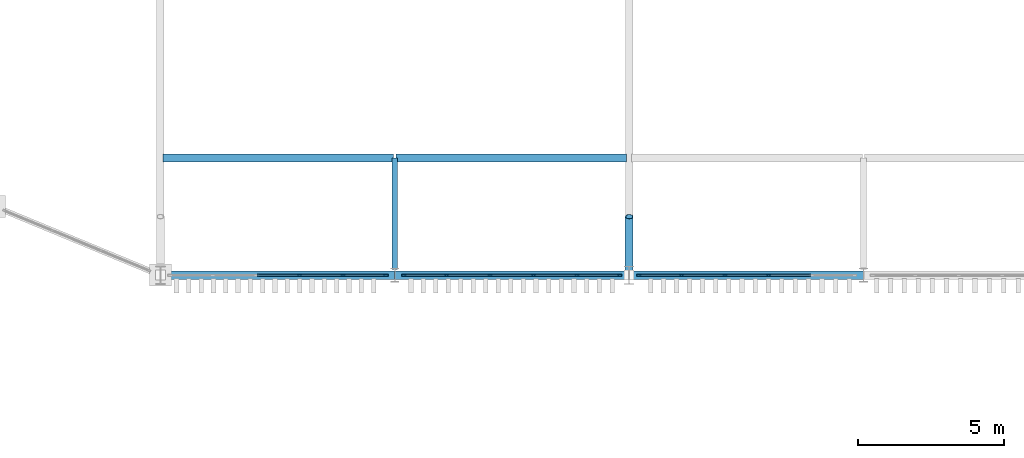
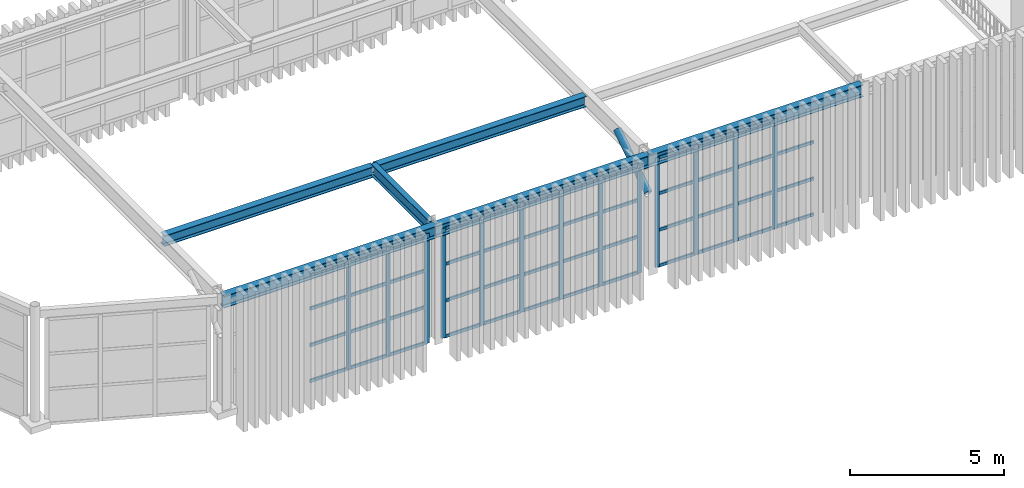
# One storey, part 13 of 61: 61 members, 6 beams, 3 elements without a shape of their own.
"""IFC4 building model written with IfcOpenShell, lengths in metres."""

from ifc_helpers import new_model, si_unit, direction, frame, origin, origin_2d, place, context, subcontext, project, spatial, rectangle, hollow_circle, i_section, extrude, material, material_profile, profile_set, type_object, element, aggregate, save


model = new_model("IFC4")

# Units and contexts
model_context = context("Model", 3, precision=1e-05, world=origin(), true_north=direction((0.0, 1.0)))
body_context = subcontext(model_context, "Body", "Model", "MODEL_VIEW")
ifc_project = project(units=[si_unit("LENGTHUNIT", "METRE"), si_unit("AREAUNIT", "SQUARE_METRE"), si_unit("VOLUMEUNIT", "CUBIC_METRE"), si_unit("PLANEANGLEUNIT", "RADIAN"), si_unit("MASSUNIT", "GRAM", prefix="KILO")], contexts=[model_context])

# Site, building, storey
site_placement = place(None, origin())
site = spatial("IfcSite", under=ifc_project, at=site_placement, CompositionType="ELEMENT")
building_placement = place(site_placement, origin())
building = spatial("IfcBuilding", under=site, at=building_placement, Name="Serraluz Foothill Cableway Terminal", CompositionType="ELEMENT")
storey_placement = place(building_placement, frame((0.0, 0.0, 15.0)))
storey = spatial("IfcBuildingStorey", under=building, at=storey_placement, Name="L03", CompositionType="ELEMENT", Elevation=15.0)

# Curtain wall, members
ifc_material_1 = material(Name="Architectural bronze alloy C28000", Category="aluminium")
curtain_wall_type_1 = type_object("IfcCurtainWallType", Name="TYP-CW-520X440", PredefinedType="NOTDEFINED", material=ifc_material_1)
curtain_wall_1_placement = place(storey_placement, origin())
curtain_wall_1 = element("IfcCurtainWall", 1, at=curtain_wall_1_placement, inside=storey, type_object=curtain_wall_type_1, Name="Ribbed Glazed Curtain Wall CW-V1S-L03-40", PredefinedType="NOTDEFINED")
ifc_material_profile_1 = material_profile(ifc_material_1, rectangle(XDim=0.06005859375, YDim=0.159912109375, at=origin_2d()), Name="ALU MULLION 60x160")
ifc_profile_set_1 = profile_set([ifc_material_profile_1], Name="Architectural bronze alloy C28000")
member_type_1 = type_object("IfcMemberType", Name="TYP-CW-MUL-60X160", PredefinedType="MULLION", material=ifc_profile_set_1)
member_1_placement = place(storey_placement, frame((47.6884765625, 56.0, 0.0), z_axis=(0.0, 0.0, 1.0), x_axis=(0.0, -1.0, 0.0)))
member_1 = element("IfcMember", 2, at=member_1_placement, type_object=member_type_1, Name="CW-08 mullion 1", PredefinedType="MULLION", context=body_context, shape_type="SweptSolid", body=[
    extrude(rectangle(XDim=0.06005859375, YDim=0.159912109375, at=origin_2d()), origin(), (0.0, 0.0, 1.0), 4.35009765625),
])
member_2_placement = place(storey_placement, frame((46.2353515625, 56.0, 0.0), z_axis=(0.0, 0.0, 1.0), x_axis=(0.0, -1.0, 0.0)))
member_2 = element("IfcMember", 3, at=member_2_placement, type_object=member_type_1, Name="CW-08 mullion 2", PredefinedType="MULLION", context=body_context, shape_type="SweptSolid", body=[
    extrude(rectangle(XDim=0.06005859375, YDim=0.159912109375, at=origin_2d()), origin(), (0.0, 0.0, 1.0), 4.35009765625),
])
member_3_placement = place(storey_placement, frame((44.752197265625, 56.0, 0.0), z_axis=(0.0, 0.0, 1.0), x_axis=(0.0, -1.0, 0.0)))
member_3 = element("IfcMember", 4, at=member_3_placement, type_object=member_type_1, Name="CW-08 mullion 3", PredefinedType="MULLION", context=body_context, shape_type="SweptSolid", body=[
    extrude(rectangle(XDim=0.06005859375, YDim=0.159912109375, at=origin_2d()), origin(), (0.0, 0.0, 1.0), 4.35009765625),
])

curtain_wall_type_2 = type_object("IfcCurtainWallType", Name="TYP-CW-520X480", PredefinedType="NOTDEFINED", material=ifc_material_1)
curtain_wall_2_placement = place(storey_placement, origin())
curtain_wall_2 = element("IfcCurtainWall", 5, at=curtain_wall_2_placement, inside=storey, type_object=curtain_wall_type_2, Name="Ribbed Glazed Curtain Wall CW-V1S-L03-48", PredefinedType="NOTDEFINED")
member_4_placement = place(storey_placement, frame((55.66748046875, 56.0, 0.0), z_axis=(0.0, 0.0, 1.0), x_axis=(0.0, -1.0, 0.0)))
member_4 = element("IfcMember", 6, at=member_4_placement, type_object=member_type_1, Name="CW-09 mullion 1", PredefinedType="MULLION", context=body_context, shape_type="SweptSolid", body=[
    extrude(rectangle(XDim=0.06005859375, YDim=0.159912109375, at=origin_2d()), origin(), (0.0, 0.0, 1.0), 4.35009765625),
])
member_5_placement = place(storey_placement, frame((54.21435546875, 56.0, 0.0), z_axis=(0.0, 0.0, 1.0), x_axis=(0.0, -1.0, 0.0)))
member_5 = element("IfcMember", 7, at=member_5_placement, type_object=member_type_1, Name="CW-09 mullion 2", PredefinedType="MULLION", context=body_context, shape_type="SweptSolid", body=[
    extrude(rectangle(XDim=0.06005859375, YDim=0.159912109375, at=origin_2d()), origin(), (0.0, 0.0, 1.0), 4.35009765625),
])
member_6_placement = place(storey_placement, frame((52.731201171875, 56.0, 0.0), z_axis=(0.0, 0.0, 1.0), x_axis=(0.0, -1.0, 0.0)))
member_6 = element("IfcMember", 8, at=member_6_placement, type_object=member_type_1, Name="CW-09 mullion 3", PredefinedType="MULLION", context=body_context, shape_type="SweptSolid", body=[
    extrude(rectangle(XDim=0.06005859375, YDim=0.159912109375, at=origin_2d()), origin(), (0.0, 0.0, 1.0), 4.35009765625),
])
member_7_placement = place(storey_placement, frame((51.247802734375, 56.0, 0.0), z_axis=(0.0, 0.0, 1.0), x_axis=(0.0, -1.0, 0.0)))
member_7 = element("IfcMember", 9, at=member_7_placement, type_object=member_type_1, Name="CW-09 mullion 4", PredefinedType="MULLION", context=body_context, shape_type="SweptSolid", body=[
    extrude(rectangle(XDim=0.06005859375, YDim=0.159912109375, at=origin_2d()), origin(), (0.0, 0.0, 1.0), 4.35009765625),
])
member_8_placement = place(storey_placement, frame((49.7646484375, 56.0, 0.0), z_axis=(0.0, 0.0, 1.0), x_axis=(0.0, -1.0, 0.0)))
member_8 = element("IfcMember", 10, at=member_8_placement, type_object=member_type_1, Name="CW-09 mullion 5", PredefinedType="MULLION", context=body_context, shape_type="SweptSolid", body=[
    extrude(rectangle(XDim=0.06005859375, YDim=0.159912109375, at=origin_2d()), origin(), (0.0, 0.0, 1.0), 4.35009765625),
])
member_9_placement = place(storey_placement, frame((48.3115234375, 56.0, 0.0), z_axis=(0.0, 0.0, 1.0), x_axis=(0.0, -1.0, 0.0)))
member_9 = element("IfcMember", 11, at=member_9_placement, type_object=member_type_1, Name="CW-09 mullion 6", PredefinedType="MULLION", context=body_context, shape_type="SweptSolid", body=[
    extrude(rectangle(XDim=0.06005859375, YDim=0.159912109375, at=origin_2d()), origin(), (0.0, 0.0, 1.0), 4.35009765625),
])

curtain_wall_type_3 = type_object("IfcCurtainWallType", Name="TYP-CW-540X420", PredefinedType="NOTDEFINED", material=ifc_material_1)
curtain_wall_3_placement = place(storey_placement, origin())
curtain_wall_3 = element("IfcCurtainWall", 12, at=curtain_wall_3_placement, inside=storey, type_object=curtain_wall_type_3, Name="Ribbed Glazed Curtain Wall CW-V1S-L03-56", PredefinedType="NOTDEFINED")
member_10_placement = place(storey_placement, frame((60.752197265625, 56.0, 0.0), z_axis=(0.0, 0.0, 1.0), x_axis=(0.0, -1.0, 0.0)))
member_10 = element("IfcMember", 13, at=member_10_placement, type_object=member_type_1, Name="CW-10 mullion 3", PredefinedType="MULLION", context=body_context, shape_type="SweptSolid", body=[
    extrude(rectangle(XDim=0.06005859375, YDim=0.159912109375, at=origin_2d()), origin(), (0.0, 0.0, 1.0), 4.35009765625),
])
member_11_placement = place(storey_placement, frame((59.268798828125, 56.0, 0.0), z_axis=(0.0, 0.0, 1.0), x_axis=(0.0, -1.0, 0.0)))
member_11 = element("IfcMember", 14, at=member_11_placement, type_object=member_type_1, Name="CW-10 mullion 4", PredefinedType="MULLION", context=body_context, shape_type="SweptSolid", body=[
    extrude(rectangle(XDim=0.06005859375, YDim=0.159912109375, at=origin_2d()), origin(), (0.0, 0.0, 1.0), 4.35009765625),
])
member_12_placement = place(storey_placement, frame((57.78564453125, 56.0, 0.0), z_axis=(0.0, 0.0, 1.0), x_axis=(0.0, -1.0, 0.0)))
member_12 = element("IfcMember", 15, at=member_12_placement, type_object=member_type_1, Name="CW-10 mullion 5", PredefinedType="MULLION", context=body_context, shape_type="SweptSolid", body=[
    extrude(rectangle(XDim=0.06005859375, YDim=0.159912109375, at=origin_2d()), origin(), (0.0, 0.0, 1.0), 4.35009765625),
])
member_13_placement = place(storey_placement, frame((56.33251953125, 56.0, 0.0), z_axis=(0.0, 0.0, 1.0), x_axis=(0.0, -1.0, 0.0)))
member_13 = element("IfcMember", 16, at=member_13_placement, type_object=member_type_1, Name="CW-10 mullion 6", PredefinedType="MULLION", context=body_context, shape_type="SweptSolid", body=[
    extrude(rectangle(XDim=0.06005859375, YDim=0.159912109375, at=origin_2d()), origin(), (0.0, 0.0, 1.0), 4.35009765625),
])

# Member
ifc_material_profile_2 = material_profile(ifc_material_1, rectangle(XDim=0.06005859375, YDim=0.1201171875, at=origin_2d()), Name="ALU TRANSOM 60x120")
ifc_profile_set_2 = profile_set([ifc_material_profile_2], Name="Architectural bronze alloy C28000")
member_type_2 = type_object("IfcMemberType", Name="TYP-CW-TRN-60X120", PredefinedType="USERDEFINED", material=ifc_profile_set_2)
member_14_placement = place(storey_placement, frame((47.658447265625, 56.0, 0.030029296875), z_axis=(-1.0, 0.0, 0.0), x_axis=(0.0, -1.0, 0.0)))
member_14 = element("IfcMember", 17, at=member_14_placement, type_object=member_type_2, Name="CW-08 transom 1.1", ObjectType="TRANSOM", PredefinedType="USERDEFINED", context=body_context, shape_type="SweptSolid", body=[
    extrude(rectangle(XDim=0.06005859375, YDim=0.1201171875, at=origin_2d()), origin(), (0.0, 0.0, 1.0), 1.39306640625),
])

member_15_placement = place(storey_placement, frame((47.658447265625, 56.0, 1.449951171875), z_axis=(-1.0, 0.0, 0.0), x_axis=(0.0, -1.0, 0.0)))
member_15 = element("IfcMember", 18, at=member_15_placement, type_object=member_type_2, Name="CW-08 transom 1.2", ObjectType="TRANSOM", PredefinedType="USERDEFINED", context=body_context, shape_type="SweptSolid", body=[
    extrude(rectangle(XDim=0.06005859375, YDim=0.1201171875, at=origin_2d()), origin(), (0.0, 0.0, 1.0), 1.39306640625),
])

member_16_placement = place(storey_placement, frame((47.658447265625, 56.0, 2.89990234375), z_axis=(-1.0, 0.0, 0.0), x_axis=(0.0, -1.0, 0.0)))
member_16 = element("IfcMember", 19, at=member_16_placement, type_object=member_type_2, Name="CW-08 transom 1.3", ObjectType="TRANSOM", PredefinedType="USERDEFINED", context=body_context, shape_type="SweptSolid", body=[
    extrude(rectangle(XDim=0.06005859375, YDim=0.1201171875, at=origin_2d()), origin(), (0.0, 0.0, 1.0), 1.39306640625),
])

member_17_placement = place(storey_placement, frame((47.658447265625, 56.0, 4.320068359375), z_axis=(-1.0, 0.0, 0.0), x_axis=(0.0, -1.0, 0.0)))
member_17 = element("IfcMember", 20, at=member_17_placement, type_object=member_type_2, Name="CW-08 transom 1.4", ObjectType="TRANSOM", PredefinedType="USERDEFINED", context=body_context, shape_type="SweptSolid", body=[
    extrude(rectangle(XDim=0.06005859375, YDim=0.1201171875, at=origin_2d()), origin(), (0.0, 0.0, 1.0), 1.39306640625),
])

member_18_placement = place(storey_placement, frame((46.205322265625, 56.0, 0.030029296875), z_axis=(-1.0, 0.0, 0.0), x_axis=(0.0, -1.0, 0.0)))
member_18 = element("IfcMember", 21, at=member_18_placement, type_object=member_type_2, Name="CW-08 transom 2.1", ObjectType="TRANSOM", PredefinedType="USERDEFINED", context=body_context, shape_type="SweptSolid", body=[
    extrude(rectangle(XDim=0.06005859375, YDim=0.1201171875, at=origin_2d()), origin(), (0.0, 0.0, 1.0), 1.42333984375),
])

member_19_placement = place(storey_placement, frame((46.205322265625, 56.0, 1.449951171875), z_axis=(-1.0, 0.0, 0.0), x_axis=(0.0, -1.0, 0.0)))
member_19 = element("IfcMember", 22, at=member_19_placement, type_object=member_type_2, Name="CW-08 transom 2.2", ObjectType="TRANSOM", PredefinedType="USERDEFINED", context=body_context, shape_type="SweptSolid", body=[
    extrude(rectangle(XDim=0.06005859375, YDim=0.1201171875, at=origin_2d()), origin(), (0.0, 0.0, 1.0), 1.42333984375),
])

member_20_placement = place(storey_placement, frame((46.205322265625, 56.0, 2.89990234375), z_axis=(-1.0, 0.0, 0.0), x_axis=(0.0, -1.0, 0.0)))
member_20 = element("IfcMember", 23, at=member_20_placement, type_object=member_type_2, Name="CW-08 transom 2.3", ObjectType="TRANSOM", PredefinedType="USERDEFINED", context=body_context, shape_type="SweptSolid", body=[
    extrude(rectangle(XDim=0.06005859375, YDim=0.1201171875, at=origin_2d()), origin(), (0.0, 0.0, 1.0), 1.42333984375),
])

member_21_placement = place(storey_placement, frame((46.205322265625, 56.0, 4.320068359375), z_axis=(-1.0, 0.0, 0.0), x_axis=(0.0, -1.0, 0.0)))
member_21 = element("IfcMember", 24, at=member_21_placement, type_object=member_type_2, Name="CW-08 transom 2.4", ObjectType="TRANSOM", PredefinedType="USERDEFINED", context=body_context, shape_type="SweptSolid", body=[
    extrude(rectangle(XDim=0.06005859375, YDim=0.1201171875, at=origin_2d()), origin(), (0.0, 0.0, 1.0), 1.42333984375),
])

member_22_placement = place(storey_placement, frame((44.72216796875, 56.0, 0.030029296875), z_axis=(-1.0, 0.0, 0.0), x_axis=(0.0, -1.0, 0.0)))
member_22 = element("IfcMember", 25, at=member_22_placement, type_object=member_type_2, Name="CW-08 transom 3.1", ObjectType="TRANSOM", PredefinedType="USERDEFINED", context=body_context, shape_type="SweptSolid", body=[
    extrude(rectangle(XDim=0.06005859375, YDim=0.1201171875, at=origin_2d()), origin(), (0.0, 0.0, 1.0), 1.42333984375),
])

member_23_placement = place(storey_placement, frame((44.72216796875, 56.0, 1.449951171875), z_axis=(-1.0, 0.0, 0.0), x_axis=(0.0, -1.0, 0.0)))
member_23 = element("IfcMember", 26, at=member_23_placement, type_object=member_type_2, Name="CW-08 transom 3.2", ObjectType="TRANSOM", PredefinedType="USERDEFINED", context=body_context, shape_type="SweptSolid", body=[
    extrude(rectangle(XDim=0.06005859375, YDim=0.1201171875, at=origin_2d()), origin(), (0.0, 0.0, 1.0), 1.42333984375),
])

member_24_placement = place(storey_placement, frame((44.72216796875, 56.0, 2.89990234375), z_axis=(-1.0, 0.0, 0.0), x_axis=(0.0, -1.0, 0.0)))
member_24 = element("IfcMember", 27, at=member_24_placement, type_object=member_type_2, Name="CW-08 transom 3.3", ObjectType="TRANSOM", PredefinedType="USERDEFINED", context=body_context, shape_type="SweptSolid", body=[
    extrude(rectangle(XDim=0.06005859375, YDim=0.1201171875, at=origin_2d()), origin(), (0.0, 0.0, 1.0), 1.42333984375),
])

member_25_placement = place(storey_placement, frame((44.72216796875, 56.0, 4.320068359375), z_axis=(-1.0, 0.0, 0.0), x_axis=(0.0, -1.0, 0.0)))
member_25 = element("IfcMember", 28, at=member_25_placement, type_object=member_type_2, Name="CW-08 transom 3.4", ObjectType="TRANSOM", PredefinedType="USERDEFINED", context=body_context, shape_type="SweptSolid", body=[
    extrude(rectangle(XDim=0.06005859375, YDim=0.1201171875, at=origin_2d()), origin(), (0.0, 0.0, 1.0), 1.42333984375),
])

aggregate(curtain_wall_1, [member_1, member_2, member_3, member_14, member_15, member_16, member_17, member_18, member_19, member_20, member_21, member_22, member_23, member_24, member_25])

member_26_placement = place(storey_placement, frame((55.637451171875, 56.0, 0.030029296875), z_axis=(-1.0, 0.0, 0.0), x_axis=(0.0, -1.0, 0.0)))
member_26 = element("IfcMember", 29, at=member_26_placement, type_object=member_type_2, Name="CW-09 transom 1.1", ObjectType="TRANSOM", PredefinedType="USERDEFINED", context=body_context, shape_type="SweptSolid", body=[
    extrude(rectangle(XDim=0.06005859375, YDim=0.1201171875, at=origin_2d()), origin(), (0.0, 0.0, 1.0), 1.39306640625),
])

member_27_placement = place(storey_placement, frame((55.637451171875, 56.0, 1.449951171875), z_axis=(-1.0, 0.0, 0.0), x_axis=(0.0, -1.0, 0.0)))
member_27 = element("IfcMember", 30, at=member_27_placement, type_object=member_type_2, Name="CW-09 transom 1.2", ObjectType="TRANSOM", PredefinedType="USERDEFINED", context=body_context, shape_type="SweptSolid", body=[
    extrude(rectangle(XDim=0.06005859375, YDim=0.1201171875, at=origin_2d()), origin(), (0.0, 0.0, 1.0), 1.39306640625),
])

member_28_placement = place(storey_placement, frame((55.637451171875, 56.0, 2.89990234375), z_axis=(-1.0, 0.0, 0.0), x_axis=(0.0, -1.0, 0.0)))
member_28 = element("IfcMember", 31, at=member_28_placement, type_object=member_type_2, Name="CW-09 transom 1.3", ObjectType="TRANSOM", PredefinedType="USERDEFINED", context=body_context, shape_type="SweptSolid", body=[
    extrude(rectangle(XDim=0.06005859375, YDim=0.1201171875, at=origin_2d()), origin(), (0.0, 0.0, 1.0), 1.39306640625),
])

member_29_placement = place(storey_placement, frame((55.637451171875, 56.0, 4.320068359375), z_axis=(-1.0, 0.0, 0.0), x_axis=(0.0, -1.0, 0.0)))
member_29 = element("IfcMember", 32, at=member_29_placement, type_object=member_type_2, Name="CW-09 transom 1.4", ObjectType="TRANSOM", PredefinedType="USERDEFINED", context=body_context, shape_type="SweptSolid", body=[
    extrude(rectangle(XDim=0.06005859375, YDim=0.1201171875, at=origin_2d()), origin(), (0.0, 0.0, 1.0), 1.39306640625),
])

member_30_placement = place(storey_placement, frame((54.184326171875, 56.0, 0.030029296875), z_axis=(-1.0, 0.0, 0.0), x_axis=(0.0, -1.0, 0.0)))
member_30 = element("IfcMember", 33, at=member_30_placement, type_object=member_type_2, Name="CW-09 transom 2.1", ObjectType="TRANSOM", PredefinedType="USERDEFINED", context=body_context, shape_type="SweptSolid", body=[
    extrude(rectangle(XDim=0.06005859375, YDim=0.1201171875, at=origin_2d()), origin(), (0.0, 0.0, 1.0), 1.42333984375),
])

member_31_placement = place(storey_placement, frame((54.184326171875, 56.0, 1.449951171875), z_axis=(-1.0, 0.0, 0.0), x_axis=(0.0, -1.0, 0.0)))
member_31 = element("IfcMember", 34, at=member_31_placement, type_object=member_type_2, Name="CW-09 transom 2.2", ObjectType="TRANSOM", PredefinedType="USERDEFINED", context=body_context, shape_type="SweptSolid", body=[
    extrude(rectangle(XDim=0.06005859375, YDim=0.1201171875, at=origin_2d()), origin(), (0.0, 0.0, 1.0), 1.42333984375),
])

member_32_placement = place(storey_placement, frame((54.184326171875, 56.0, 2.89990234375), z_axis=(-1.0, 0.0, 0.0), x_axis=(0.0, -1.0, 0.0)))
member_32 = element("IfcMember", 35, at=member_32_placement, type_object=member_type_2, Name="CW-09 transom 2.3", ObjectType="TRANSOM", PredefinedType="USERDEFINED", context=body_context, shape_type="SweptSolid", body=[
    extrude(rectangle(XDim=0.06005859375, YDim=0.1201171875, at=origin_2d()), origin(), (0.0, 0.0, 1.0), 1.42333984375),
])

member_33_placement = place(storey_placement, frame((54.184326171875, 56.0, 4.320068359375), z_axis=(-1.0, 0.0, 0.0), x_axis=(0.0, -1.0, 0.0)))
member_33 = element("IfcMember", 36, at=member_33_placement, type_object=member_type_2, Name="CW-09 transom 2.4", ObjectType="TRANSOM", PredefinedType="USERDEFINED", context=body_context, shape_type="SweptSolid", body=[
    extrude(rectangle(XDim=0.06005859375, YDim=0.1201171875, at=origin_2d()), origin(), (0.0, 0.0, 1.0), 1.42333984375),
])

member_34_placement = place(storey_placement, frame((52.701171875, 56.0, 0.030029296875), z_axis=(-1.0, 0.0, 0.0), x_axis=(0.0, -1.0, 0.0)))
member_34 = element("IfcMember", 37, at=member_34_placement, type_object=member_type_2, Name="CW-09 transom 3.1", ObjectType="TRANSOM", PredefinedType="USERDEFINED", context=body_context, shape_type="SweptSolid", body=[
    extrude(rectangle(XDim=0.06005859375, YDim=0.1201171875, at=origin_2d()), origin(), (0.0, 0.0, 1.0), 1.42333984375),
])

member_35_placement = place(storey_placement, frame((52.701171875, 56.0, 1.449951171875), z_axis=(-1.0, 0.0, 0.0), x_axis=(0.0, -1.0, 0.0)))
member_35 = element("IfcMember", 38, at=member_35_placement, type_object=member_type_2, Name="CW-09 transom 3.2", ObjectType="TRANSOM", PredefinedType="USERDEFINED", context=body_context, shape_type="SweptSolid", body=[
    extrude(rectangle(XDim=0.06005859375, YDim=0.1201171875, at=origin_2d()), origin(), (0.0, 0.0, 1.0), 1.42333984375),
])

member_36_placement = place(storey_placement, frame((52.701171875, 56.0, 2.89990234375), z_axis=(-1.0, 0.0, 0.0), x_axis=(0.0, -1.0, 0.0)))
member_36 = element("IfcMember", 39, at=member_36_placement, type_object=member_type_2, Name="CW-09 transom 3.3", ObjectType="TRANSOM", PredefinedType="USERDEFINED", context=body_context, shape_type="SweptSolid", body=[
    extrude(rectangle(XDim=0.06005859375, YDim=0.1201171875, at=origin_2d()), origin(), (0.0, 0.0, 1.0), 1.42333984375),
])

member_37_placement = place(storey_placement, frame((52.701171875, 56.0, 4.320068359375), z_axis=(-1.0, 0.0, 0.0), x_axis=(0.0, -1.0, 0.0)))
member_37 = element("IfcMember", 40, at=member_37_placement, type_object=member_type_2, Name="CW-09 transom 3.4", ObjectType="TRANSOM", PredefinedType="USERDEFINED", context=body_context, shape_type="SweptSolid", body=[
    extrude(rectangle(XDim=0.06005859375, YDim=0.1201171875, at=origin_2d()), origin(), (0.0, 0.0, 1.0), 1.42333984375),
])

member_38_placement = place(storey_placement, frame((51.218017578125, 56.0, 0.030029296875), z_axis=(-1.0, 0.0, 0.0), x_axis=(0.0, -1.0, 0.0)))
member_38 = element("IfcMember", 41, at=member_38_placement, type_object=member_type_2, Name="CW-09 transom 4.1", ObjectType="TRANSOM", PredefinedType="USERDEFINED", context=body_context, shape_type="SweptSolid", body=[
    extrude(rectangle(XDim=0.06005859375, YDim=0.1201171875, at=origin_2d()), origin(), (0.0, 0.0, 1.0), 1.42333984375),
])

member_39_placement = place(storey_placement, frame((51.218017578125, 56.0, 1.449951171875), z_axis=(-1.0, 0.0, 0.0), x_axis=(0.0, -1.0, 0.0)))
member_39 = element("IfcMember", 42, at=member_39_placement, type_object=member_type_2, Name="CW-09 transom 4.2", ObjectType="TRANSOM", PredefinedType="USERDEFINED", context=body_context, shape_type="SweptSolid", body=[
    extrude(rectangle(XDim=0.06005859375, YDim=0.1201171875, at=origin_2d()), origin(), (0.0, 0.0, 1.0), 1.42333984375),
])

member_40_placement = place(storey_placement, frame((51.218017578125, 56.0, 2.89990234375), z_axis=(-1.0, 0.0, 0.0), x_axis=(0.0, -1.0, 0.0)))
member_40 = element("IfcMember", 43, at=member_40_placement, type_object=member_type_2, Name="CW-09 transom 4.3", ObjectType="TRANSOM", PredefinedType="USERDEFINED", context=body_context, shape_type="SweptSolid", body=[
    extrude(rectangle(XDim=0.06005859375, YDim=0.1201171875, at=origin_2d()), origin(), (0.0, 0.0, 1.0), 1.42333984375),
])

member_41_placement = place(storey_placement, frame((51.218017578125, 56.0, 4.320068359375), z_axis=(-1.0, 0.0, 0.0), x_axis=(0.0, -1.0, 0.0)))
member_41 = element("IfcMember", 44, at=member_41_placement, type_object=member_type_2, Name="CW-09 transom 4.4", ObjectType="TRANSOM", PredefinedType="USERDEFINED", context=body_context, shape_type="SweptSolid", body=[
    extrude(rectangle(XDim=0.06005859375, YDim=0.1201171875, at=origin_2d()), origin(), (0.0, 0.0, 1.0), 1.42333984375),
])

member_42_placement = place(storey_placement, frame((49.734619140625, 56.0, 0.030029296875), z_axis=(-1.0, 0.0, 0.0), x_axis=(0.0, -1.0, 0.0)))
member_42 = element("IfcMember", 45, at=member_42_placement, type_object=member_type_2, Name="CW-09 transom 5.1", ObjectType="TRANSOM", PredefinedType="USERDEFINED", context=body_context, shape_type="SweptSolid", body=[
    extrude(rectangle(XDim=0.06005859375, YDim=0.1201171875, at=origin_2d()), origin(), (0.0, 0.0, 1.0), 1.39306640625),
])

member_43_placement = place(storey_placement, frame((49.734619140625, 56.0, 1.449951171875), z_axis=(-1.0, 0.0, 0.0), x_axis=(0.0, -1.0, 0.0)))
member_43 = element("IfcMember", 46, at=member_43_placement, type_object=member_type_2, Name="CW-09 transom 5.2", ObjectType="TRANSOM", PredefinedType="USERDEFINED", context=body_context, shape_type="SweptSolid", body=[
    extrude(rectangle(XDim=0.06005859375, YDim=0.1201171875, at=origin_2d()), origin(), (0.0, 0.0, 1.0), 1.39306640625),
])

member_44_placement = place(storey_placement, frame((49.734619140625, 56.0, 2.89990234375), z_axis=(-1.0, 0.0, 0.0), x_axis=(0.0, -1.0, 0.0)))
member_44 = element("IfcMember", 47, at=member_44_placement, type_object=member_type_2, Name="CW-09 transom 5.3", ObjectType="TRANSOM", PredefinedType="USERDEFINED", context=body_context, shape_type="SweptSolid", body=[
    extrude(rectangle(XDim=0.06005859375, YDim=0.1201171875, at=origin_2d()), origin(), (0.0, 0.0, 1.0), 1.39306640625),
])

member_45_placement = place(storey_placement, frame((49.734619140625, 56.0, 4.320068359375), z_axis=(-1.0, 0.0, 0.0), x_axis=(0.0, -1.0, 0.0)))
member_45 = element("IfcMember", 48, at=member_45_placement, type_object=member_type_2, Name="CW-09 transom 5.4", ObjectType="TRANSOM", PredefinedType="USERDEFINED", context=body_context, shape_type="SweptSolid", body=[
    extrude(rectangle(XDim=0.06005859375, YDim=0.1201171875, at=origin_2d()), origin(), (0.0, 0.0, 1.0), 1.39306640625),
])

aggregate(curtain_wall_2, [member_4, member_5, member_6, member_7, member_8, member_9, member_26, member_27, member_28, member_29, member_30, member_31, member_32, member_33, member_34, member_35, member_36, member_37, member_38, member_39, member_40, member_41, member_42, member_43, member_44, member_45])

member_46_placement = place(storey_placement, frame((62.205322265625, 56.0, 0.030029296875), z_axis=(-1.0, 0.0, 0.0), x_axis=(0.0, -1.0, 0.0)))
member_46 = element("IfcMember", 49, at=member_46_placement, type_object=member_type_2, Name="CW-10 transom 2.1", ObjectType="TRANSOM", PredefinedType="USERDEFINED", context=body_context, shape_type="SweptSolid", body=[
    extrude(rectangle(XDim=0.06005859375, YDim=0.1201171875, at=origin_2d()), origin(), (0.0, 0.0, 1.0), 1.42333984375),
])

member_47_placement = place(storey_placement, frame((62.205322265625, 56.0, 1.449951171875), z_axis=(-1.0, 0.0, 0.0), x_axis=(0.0, -1.0, 0.0)))
member_47 = element("IfcMember", 50, at=member_47_placement, type_object=member_type_2, Name="CW-10 transom 2.2", ObjectType="TRANSOM", PredefinedType="USERDEFINED", context=body_context, shape_type="SweptSolid", body=[
    extrude(rectangle(XDim=0.06005859375, YDim=0.1201171875, at=origin_2d()), origin(), (0.0, 0.0, 1.0), 1.42333984375),
])

member_48_placement = place(storey_placement, frame((62.205322265625, 56.0, 2.89990234375), z_axis=(-1.0, 0.0, 0.0), x_axis=(0.0, -1.0, 0.0)))
member_48 = element("IfcMember", 51, at=member_48_placement, type_object=member_type_2, Name="CW-10 transom 2.3", ObjectType="TRANSOM", PredefinedType="USERDEFINED", context=body_context, shape_type="SweptSolid", body=[
    extrude(rectangle(XDim=0.06005859375, YDim=0.1201171875, at=origin_2d()), origin(), (0.0, 0.0, 1.0), 1.42333984375),
])

member_49_placement = place(storey_placement, frame((60.72216796875, 56.0, 0.030029296875), z_axis=(-1.0, 0.0, 0.0), x_axis=(0.0, -1.0, 0.0)))
member_49 = element("IfcMember", 52, at=member_49_placement, type_object=member_type_2, Name="CW-10 transom 3.1", ObjectType="TRANSOM", PredefinedType="USERDEFINED", context=body_context, shape_type="SweptSolid", body=[
    extrude(rectangle(XDim=0.06005859375, YDim=0.1201171875, at=origin_2d()), origin(), (0.0, 0.0, 1.0), 1.42333984375),
])

member_50_placement = place(storey_placement, frame((60.72216796875, 56.0, 1.449951171875), z_axis=(-1.0, 0.0, 0.0), x_axis=(0.0, -1.0, 0.0)))
member_50 = element("IfcMember", 53, at=member_50_placement, type_object=member_type_2, Name="CW-10 transom 3.2", ObjectType="TRANSOM", PredefinedType="USERDEFINED", context=body_context, shape_type="SweptSolid", body=[
    extrude(rectangle(XDim=0.06005859375, YDim=0.1201171875, at=origin_2d()), origin(), (0.0, 0.0, 1.0), 1.42333984375),
])

member_51_placement = place(storey_placement, frame((60.72216796875, 56.0, 2.89990234375), z_axis=(-1.0, 0.0, 0.0), x_axis=(0.0, -1.0, 0.0)))
member_51 = element("IfcMember", 54, at=member_51_placement, type_object=member_type_2, Name="CW-10 transom 3.3", ObjectType="TRANSOM", PredefinedType="USERDEFINED", context=body_context, shape_type="SweptSolid", body=[
    extrude(rectangle(XDim=0.06005859375, YDim=0.1201171875, at=origin_2d()), origin(), (0.0, 0.0, 1.0), 1.42333984375),
])

member_52_placement = place(storey_placement, frame((60.72216796875, 56.0, 4.320068359375), z_axis=(-1.0, 0.0, 0.0), x_axis=(0.0, -1.0, 0.0)))
member_52 = element("IfcMember", 55, at=member_52_placement, type_object=member_type_2, Name="CW-10 transom 3.4", ObjectType="TRANSOM", PredefinedType="USERDEFINED", context=body_context, shape_type="SweptSolid", body=[
    extrude(rectangle(XDim=0.06005859375, YDim=0.1201171875, at=origin_2d()), origin(), (0.0, 0.0, 1.0), 1.42333984375),
])

member_53_placement = place(storey_placement, frame((59.239013671875, 56.0, 0.030029296875), z_axis=(-1.0, 0.0, 0.0), x_axis=(0.0, -1.0, 0.0)))
member_53 = element("IfcMember", 56, at=member_53_placement, type_object=member_type_2, Name="CW-10 transom 4.1", ObjectType="TRANSOM", PredefinedType="USERDEFINED", context=body_context, shape_type="SweptSolid", body=[
    extrude(rectangle(XDim=0.06005859375, YDim=0.1201171875, at=origin_2d()), origin(), (0.0, 0.0, 1.0), 1.42333984375),
])

member_54_placement = place(storey_placement, frame((59.239013671875, 56.0, 1.449951171875), z_axis=(-1.0, 0.0, 0.0), x_axis=(0.0, -1.0, 0.0)))
member_54 = element("IfcMember", 57, at=member_54_placement, type_object=member_type_2, Name="CW-10 transom 4.2", ObjectType="TRANSOM", PredefinedType="USERDEFINED", context=body_context, shape_type="SweptSolid", body=[
    extrude(rectangle(XDim=0.06005859375, YDim=0.1201171875, at=origin_2d()), origin(), (0.0, 0.0, 1.0), 1.42333984375),
])

member_55_placement = place(storey_placement, frame((59.239013671875, 56.0, 2.89990234375), z_axis=(-1.0, 0.0, 0.0), x_axis=(0.0, -1.0, 0.0)))
member_55 = element("IfcMember", 58, at=member_55_placement, type_object=member_type_2, Name="CW-10 transom 4.3", ObjectType="TRANSOM", PredefinedType="USERDEFINED", context=body_context, shape_type="SweptSolid", body=[
    extrude(rectangle(XDim=0.06005859375, YDim=0.1201171875, at=origin_2d()), origin(), (0.0, 0.0, 1.0), 1.42333984375),
])

member_56_placement = place(storey_placement, frame((59.239013671875, 56.0, 4.320068359375), z_axis=(-1.0, 0.0, 0.0), x_axis=(0.0, -1.0, 0.0)))
member_56 = element("IfcMember", 59, at=member_56_placement, type_object=member_type_2, Name="CW-10 transom 4.4", ObjectType="TRANSOM", PredefinedType="USERDEFINED", context=body_context, shape_type="SweptSolid", body=[
    extrude(rectangle(XDim=0.06005859375, YDim=0.1201171875, at=origin_2d()), origin(), (0.0, 0.0, 1.0), 1.42333984375),
])

member_57_placement = place(storey_placement, frame((57.755615234375, 56.0, 0.030029296875), z_axis=(-1.0, 0.0, 0.0), x_axis=(0.0, -1.0, 0.0)))
member_57 = element("IfcMember", 60, at=member_57_placement, type_object=member_type_2, Name="CW-10 transom 5.1", ObjectType="TRANSOM", PredefinedType="USERDEFINED", context=body_context, shape_type="SweptSolid", body=[
    extrude(rectangle(XDim=0.06005859375, YDim=0.1201171875, at=origin_2d()), origin(), (0.0, 0.0, 1.0), 1.39306640625),
])

member_58_placement = place(storey_placement, frame((57.755615234375, 56.0, 1.449951171875), z_axis=(-1.0, 0.0, 0.0), x_axis=(0.0, -1.0, 0.0)))
member_58 = element("IfcMember", 61, at=member_58_placement, type_object=member_type_2, Name="CW-10 transom 5.2", ObjectType="TRANSOM", PredefinedType="USERDEFINED", context=body_context, shape_type="SweptSolid", body=[
    extrude(rectangle(XDim=0.06005859375, YDim=0.1201171875, at=origin_2d()), origin(), (0.0, 0.0, 1.0), 1.39306640625),
])

member_59_placement = place(storey_placement, frame((57.755615234375, 56.0, 2.89990234375), z_axis=(-1.0, 0.0, 0.0), x_axis=(0.0, -1.0, 0.0)))
member_59 = element("IfcMember", 62, at=member_59_placement, type_object=member_type_2, Name="CW-10 transom 5.3", ObjectType="TRANSOM", PredefinedType="USERDEFINED", context=body_context, shape_type="SweptSolid", body=[
    extrude(rectangle(XDim=0.06005859375, YDim=0.1201171875, at=origin_2d()), origin(), (0.0, 0.0, 1.0), 1.39306640625),
])

member_60_placement = place(storey_placement, frame((57.755615234375, 56.0, 4.320068359375), z_axis=(-1.0, 0.0, 0.0), x_axis=(0.0, -1.0, 0.0)))
member_60 = element("IfcMember", 63, at=member_60_placement, type_object=member_type_2, Name="CW-10 transom 5.4", ObjectType="TRANSOM", PredefinedType="USERDEFINED", context=body_context, shape_type="SweptSolid", body=[
    extrude(rectangle(XDim=0.06005859375, YDim=0.1201171875, at=origin_2d()), origin(), (0.0, 0.0, 1.0), 1.39306640625),
])

aggregate(curtain_wall_3, [member_10, member_11, member_12, member_13, member_46, member_47, member_48, member_49, member_50, member_51, member_52, member_53, member_54, member_55, member_56, member_57, member_58, member_59, member_60])

# Beams
ifc_material_2 = material(Name="Steel ASTM A992 Grade 50", Category="steel")
ifc_material_profile_3 = material_profile(ifc_material_2, i_section(OverallWidth=0.260009765625, OverallDepth=0.4189453125, WebThickness=0.01171875, FlangeThickness=0.019287109375, FilletRadius=0.013916015625, at=origin_2d()), Name="W16X77")
ifc_profile_set_3 = profile_set([ifc_material_profile_3], Name="Steel ASTM A992 Grade 50")
beam_type_1 = type_object("IfcBeamType", Name="TYP-JS-W16X77", PredefinedType="JOIST", material=ifc_profile_set_3)
for number, where, z_axis, x_axis, name in (
    (64, (40.0849609375, 60.0, 4.35009765625), (1.0, 0.0, 0.0), (0.0, 1.0, 0.0), "Eaves Gallery Support Beam 40-60"),
    (65, (48.0400390625, 60.0, 4.35009765625), (1.0, 0.0, 0.0), (0.0, 1.0, 0.0), "Eaves Gallery Support Beam 48-60"),
):
    element("IfcBeam", number, at=place(storey_placement, frame(where, z_axis=z_axis, x_axis=x_axis)), inside=storey, type_object=beam_type_1, Name=name, PredefinedType="JOIST", context=body_context, shape_type="SweptSolid", body=[
        extrude(i_section(OverallWidth=0.260009765625, OverallDepth=0.4189453125, WebThickness=0.01171875, FlangeThickness=0.019287109375, FilletRadius=0.013916015625, at=origin_2d()), origin(), (0.0, 0.0, 1.0), 7.875),
    ])
ifc_material_profile_4 = material_profile(ifc_material_2, i_section(OverallWidth=0.193115234375, OverallDepth=0.467041015625, WebThickness=0.011474609375, FlangeThickness=0.01904296875, FilletRadius=0.014892578125, at=origin_2d()), Name="W18X65")
ifc_profile_set_4 = profile_set([ifc_material_profile_4], Name="Steel ASTM A992 Grade 50")
beam_type_2 = type_object("IfcBeamType", Name="TYP-JS-W18X65", PredefinedType="JOIST", material=ifc_profile_set_4)
beam_placement = place(storey_placement, frame((48.0, 56.199951171875, 4.3798828125), z_axis=(0.0, 1.0, 0.0), x_axis=(-1.0, 0.0, 0.0)))
element("IfcBeam", 66, at=beam_placement, inside=storey, type_object=beam_type_2, Name="Eaves Gallery Bracket Tie 48-56", PredefinedType="JOIST", context=body_context, shape_type="SweptSolid", body=[
    extrude(i_section(OverallWidth=0.193115234375, OverallDepth=0.467041015625, WebThickness=0.011474609375, FlangeThickness=0.01904296875, FilletRadius=0.014892578125, at=origin_2d()), origin(), (0.0, 0.0, 1.0), 3.800048828125),
])
ifc_material_profile_5 = material_profile(ifc_material_2, i_section(OverallWidth=0.282958984375, OverallDepth=0.471923828125, WebThickness=0.013671875, FlangeThickness=0.022216796875, FilletRadius=0.014892578125, at=origin_2d()), Name="W18X97")
ifc_profile_set_5 = profile_set([ifc_material_profile_5], Name="Steel ASTM A992 Grade 50")
beam_type_3 = type_object("IfcBeamType", Name="TYP-SP-W18X97", PredefinedType="SPANDREL", material=ifc_profile_set_5)
for number, where, z_axis, x_axis, name in (
    (67, (40.0048828125, 56.0, 4.384033203125), (1.0, 0.0, 0.0), (0.0, 1.0, 0.0), "Primary Girder BM-X-L03-0348"),
    (68, (48.0048828125, 56.0, 4.384033203125), (1.0, 0.0, 0.0), (0.0, 1.0, 0.0), "Primary Girder BM-X-L03-0349"),
    (69, (56.0048828125, 56.0, 4.384033203125), (1.0, 0.0, 0.0), (0.0, 1.0, 0.0), "Primary Girder BM-X-L03-0350"),
):
    element("IfcBeam", number, at=place(storey_placement, frame(where, z_axis=z_axis, x_axis=x_axis)), inside=storey, type_object=beam_type_3, Name=name, PredefinedType="SPANDREL", context=body_context, shape_type="SweptSolid", body=[
        extrude(i_section(OverallWidth=0.282958984375, OverallDepth=0.471923828125, WebThickness=0.013671875, FlangeThickness=0.022216796875, FilletRadius=0.014892578125, at=origin_2d()), origin(), (0.0, 0.0, 1.0), 7.990234375),
    ])

# Member
ifc_material_3 = material(Name="Steel ASTM A572 Grade 50", Category="steel")
ifc_material_profile_6 = material_profile(ifc_material_3, hollow_circle(Radius=0.136474609375, WallThickness=0.011962890625, at=origin_2d()), Name="CHS273X12")
ifc_profile_set_6 = profile_set([ifc_material_profile_6], Name="Steel ASTM A572 Grade 50")
member_type_3 = type_object("IfcMemberType", Name="TYP-ST-CHS273", PredefinedType="STRUT", material=ifc_profile_set_6)
member_61_placement = place(storey_placement, frame((56.0, 56.0, 3.050048828125), z_axis=(0.0, 0.838434262763, 0.545002740383), x_axis=(-1.0, 0.0, 0.0)))
element("IfcMember", 70, at=member_61_placement, inside=storey, type_object=member_type_3, Name="Portal Knee Strut STRUT-TR-02-S", PredefinedType="STRUT", context=body_context, shape_type="SweptSolid", body=[
    extrude(hollow_circle(Radius=0.136474609375, WallThickness=0.011962890625, at=origin_2d()), origin(), (0.0, 0.0, 1.0), 2.385498046875),
])

save(model, "model.ifc")
